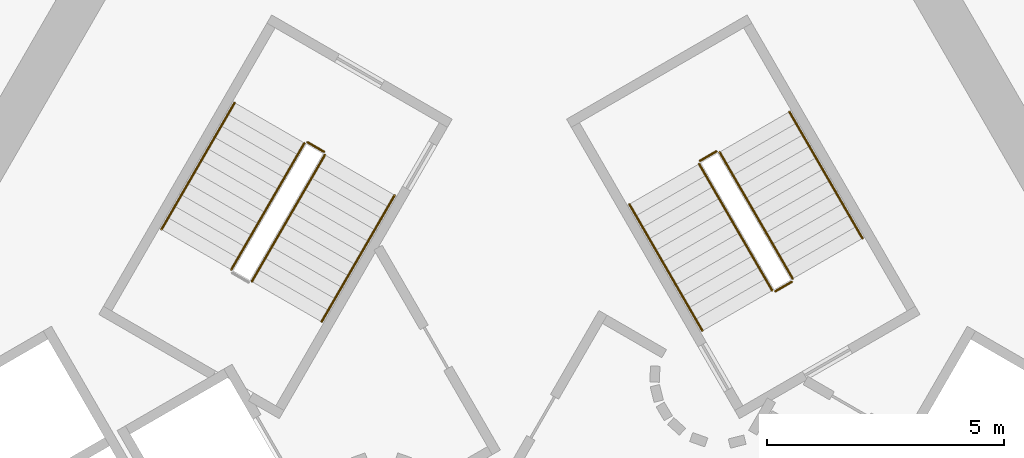
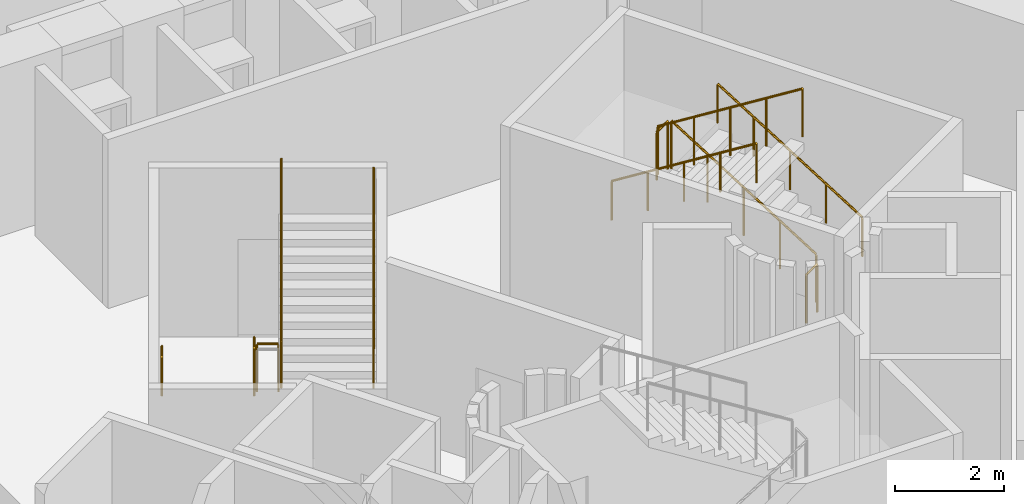
# One storey, part 14 of 14: 11 railings.
"""IFC4 building model written with IfcOpenShell, lengths in metres."""

from ifc_helpers import new_model, si_unit, direction, frame, origin, origin_2d, place, context, subcontext, project, spatial, circle, extrude, material, type_object, element, save


model = new_model("IFC4")

# Units and contexts
model_context = context("Model", 3, precision=1e-05, world=origin(), true_north=direction((0.0, 1.0)))
body_context = subcontext(model_context, "Body", "Model", "MODEL_VIEW")
ifc_project = project(units=[si_unit("LENGTHUNIT", "METRE"), si_unit("AREAUNIT", "SQUARE_METRE"), si_unit("VOLUMEUNIT", "CUBIC_METRE"), si_unit("PLANEANGLEUNIT", "RADIAN"), si_unit("MASSUNIT", "GRAM", prefix="KILO")], contexts=[model_context])

# Site, building, storey
site_placement = place(None, origin())
site = spatial("IfcSite", under=ifc_project, at=site_placement, CompositionType="ELEMENT")
building_placement = place(site_placement, origin())
building = spatial("IfcBuilding", under=site, at=building_placement, Name="Entoto Arch Interchange Tower", CompositionType="ELEMENT")
storey_placement = place(building_placement, frame((0.0, 0.0, 116.0)))
storey = spatial("IfcBuildingStorey", under=building, at=storey_placement, Name="L25", CompositionType="ELEMENT", Elevation=116.0)

# Railings
ifc_material = material(Name="Stainless steel 1.4301", Category="steel")
railing_type_1 = type_object("IfcRailingType", Name="STAIR GUARD 1100 STEEL", PredefinedType="GUARDRAIL", material=ifc_material)
railing_1_placement = place(storey_placement, frame((5.977783203125, 4.046142578125, 0.175048828125)))
element("IfcRailing", 1, at=railing_1_placement, inside=storey, type_object=railing_type_1, Name="L25 ST-NE stair guard 1", PredefinedType="GUARDRAIL", context=body_context, shape_type="SweptSolid", body=[
    extrude(circle(Radius=0.02392578125, at=origin_2d()), frame((0.0, 0.0, 1.076171875), z_axis=(-0.424015404183, 0.734364028329, 0.530019255228), x_axis=(-0.866010015463, -0.500026652407, 0.0)), (0.0, 0.0, 1.0), 3.632080078125),
    extrude(circle(Radius=0.02099609375, at=origin_2d()), origin(), (0.0, 0.0, 1.0), 1.052001953125),
    extrude(circle(Radius=0.02099609375, at=origin_2d()), frame((-0.385009765625, 0.666748046875, 0.481201171875)), (0.0, 0.0, 1.0), 1.052001953125),
    extrude(circle(Radius=0.02099609375, at=origin_2d()), frame((-0.77001953125, 1.33349609375, 0.96240234375)), (0.0, 0.0, 1.0), 1.052001953125),
    extrude(circle(Radius=0.02099609375, at=origin_2d()), frame((-1.155029296875, 2.00048828125, 1.44384765625)), (0.0, 0.0, 1.0), 1.052001953125),
    extrude(circle(Radius=0.02099609375, at=origin_2d()), frame((-1.5400390625, 2.667236328125, 1.925048828125)), (0.0, 0.0, 1.0), 1.052001953125),
])
railing_2_placement = place(storey_placement, frame((4.36962890625, 6.731689453125, 2.10009765625)))
element("IfcRailing", 2, at=railing_2_placement, inside=storey, type_object=railing_type_1, Name="L25 ST-NE stair guard 2", PredefinedType="GUARDRAIL", context=body_context, shape_type="SweptSolid", body=[
    extrude(circle(Radius=0.02392578125, at=origin_2d()), frame((0.0, 0.0, 1.076171875), z_axis=(-0.866094119867, -0.499880961361, 0.0), x_axis=(0.499880961361, -0.866094119867, 0.0)), (0.0, 0.0, 1.0), 0.39990234375),
    extrude(circle(Radius=0.02099609375, at=origin_2d()), origin(), (0.0, 0.0, 1.0), 1.052001953125),
    extrude(circle(Radius=0.02099609375, at=origin_2d()), frame((-0.346435546875, -0.199951171875, 0.0)), (0.0, 0.0, 1.0), 1.052001953125),
])
railing_3_placement = place(storey_placement, frame((4.0048828125, 6.46337890625, 2.27490234375)))
element("IfcRailing", 3, at=railing_3_placement, inside=storey, type_object=railing_type_1, Name="L25 ST-NE stair guard 3", PredefinedType="GUARDRAIL", context=body_context, shape_type="SweptSolid", body=[
    extrude(circle(Radius=0.02392578125, at=origin_2d()), frame((0.0, 0.0, 1.076171875), z_axis=(0.424015404183, -0.734364028329, 0.530019255228), x_axis=(0.866010015463, 0.500026652407, 0.0)), (0.0, 0.0, 1.0), 3.632080078125),
    extrude(circle(Radius=0.02099609375, at=origin_2d()), origin(), (0.0, 0.0, 1.0), 1.052001953125),
    extrude(circle(Radius=0.02099609375, at=origin_2d()), frame((0.385009765625, -0.666748046875, 0.481201171875)), (0.0, 0.0, 1.0), 1.052001953125),
    extrude(circle(Radius=0.02099609375, at=origin_2d()), frame((0.77001953125, -1.33349609375, 0.96240234375)), (0.0, 0.0, 1.0), 1.052001953125),
    extrude(circle(Radius=0.02099609375, at=origin_2d()), frame((1.155029296875, -2.00048828125, 1.44384765625)), (0.0, 0.0, 1.0), 1.052001953125),
    extrude(circle(Radius=0.02099609375, at=origin_2d()), frame((1.5400390625, -2.667236328125, 1.925048828125)), (0.0, 0.0, 1.0), 1.052001953125),
])
railing_4_placement = place(storey_placement, frame((5.95947265625, 3.977783203125, 0.0)))
element("IfcRailing", 4, at=railing_4_placement, inside=storey, type_object=railing_type_1, Name="L25 ST-NE stair guard 4", PredefinedType="GUARDRAIL", context=body_context, shape_type="SweptSolid", body=[
    extrude(circle(Radius=0.02392578125, at=origin_2d()), frame((0.0, 0.0, 1.076171875), z_axis=(-0.866094119867, -0.499880961361, 0.0), x_axis=(0.499880961361, -0.866094119867, 0.0)), (0.0, 0.0, 1.0), 0.39990234375),
    extrude(circle(Radius=0.02099609375, at=origin_2d()), origin(), (0.0, 0.0, 1.0), 1.052001953125),
    extrude(circle(Radius=0.02099609375, at=origin_2d()), frame((-0.346435546875, -0.199951171875, 0.0)), (0.0, 0.0, 1.0), 1.052001953125),
])
railing_5_placement = place(storey_placement, frame((-4.327880859375, 6.904052734375, 0.175048828125)))
element("IfcRailing", 5, at=railing_5_placement, inside=storey, type_object=railing_type_1, Name="L25 ST-NW stair guard 1", PredefinedType="GUARDRAIL", context=body_context, shape_type="SweptSolid", body=[
    extrude(circle(Radius=0.02392578125, at=origin_2d()), frame((0.0, 0.0, 1.076171875), z_axis=(-0.423994474112, -0.734394994316, 0.52999309264), x_axis=(0.866029832698, -0.499992328818, 0.0)), (0.0, 0.0, 1.0), 3.63232421875),
    extrude(circle(Radius=0.02099609375, at=origin_2d()), origin(), (0.0, 0.0, 1.0), 1.052001953125),
    extrude(circle(Radius=0.02099609375, at=origin_2d()), frame((-0.385009765625, -0.6669921875, 0.481201171875)), (0.0, 0.0, 1.0), 1.052001953125),
    extrude(circle(Radius=0.02099609375, at=origin_2d()), frame((-0.77001953125, -1.333740234375, 0.96240234375)), (0.0, 0.0, 1.0), 1.052001953125),
    extrude(circle(Radius=0.02099609375, at=origin_2d()), frame((-1.155029296875, -2.00048828125, 1.44384765625)), (0.0, 0.0, 1.0), 1.052001953125),
    extrude(circle(Radius=0.02099609375, at=origin_2d()), frame((-1.5400390625, -2.66748046875, 1.925048828125)), (0.0, 0.0, 1.0), 1.052001953125),
])
railing_6_placement = place(storey_placement, frame((-5.434814453125, 3.986572265625, 2.27490234375)))
element("IfcRailing", 6, at=railing_6_placement, inside=storey, type_object=railing_type_1, Name="L25 ST-NW stair guard 3", PredefinedType="GUARDRAIL", context=body_context, shape_type="SweptSolid", body=[
    extrude(circle(Radius=0.02392578125, at=origin_2d()), frame((0.0, 0.0, 1.076171875), z_axis=(0.423994474112, 0.734394994316, 0.52999309264), x_axis=(-0.866029832698, 0.499992328818, 0.0)), (0.0, 0.0, 1.0), 3.63232421875),
    extrude(circle(Radius=0.02099609375, at=origin_2d()), origin(), (0.0, 0.0, 1.0), 1.052001953125),
    extrude(circle(Radius=0.02099609375, at=origin_2d()), frame((0.385009765625, 0.6669921875, 0.481201171875)), (0.0, 0.0, 1.0), 1.052001953125),
    extrude(circle(Radius=0.02099609375, at=origin_2d()), frame((0.77001953125, 1.333740234375, 0.96240234375)), (0.0, 0.0, 1.0), 1.052001953125),
    extrude(circle(Radius=0.02099609375, at=origin_2d()), frame((1.155029296875, 2.00048828125, 1.44384765625)), (0.0, 0.0, 1.0), 1.052001953125),
    extrude(circle(Radius=0.02099609375, at=origin_2d()), frame((1.5400390625, 2.66748046875, 1.925048828125)), (0.0, 0.0, 1.0), 1.052001953125),
])
railing_7_placement = place(storey_placement, frame((-4.259521484375, 6.92236328125, 0.0)))
element("IfcRailing", 7, at=railing_7_placement, inside=storey, type_object=railing_type_1, Name="L25 ST-NW stair guard 4", PredefinedType="GUARDRAIL", context=body_context, shape_type="SweptSolid", body=[
    extrude(circle(Radius=0.02392578125, at=origin_2d()), frame((0.0, 0.0, 1.076171875), z_axis=(0.865829829939, -0.500338590944, 0.0), x_axis=(0.500338590944, 0.865829829939, 0.0)), (0.0, 0.0, 1.0), 0.400146484375),
    extrude(circle(Radius=0.02099609375, at=origin_2d()), origin(), (0.0, 0.0, 1.0), 1.052001953125),
    extrude(circle(Radius=0.02099609375, at=origin_2d()), frame((0.346435546875, -0.2001953125, 0.0)), (0.0, 0.0, 1.0), 1.052001953125),
])
railing_type_2 = type_object("IfcRailingType", Name="STAIR HANDRAIL 900 STEEL", PredefinedType="HANDRAIL", material=ifc_material)
railing_8_placement = place(storey_placement, frame((7.4501953125, 4.89599609375, 0.175048828125)))
element("IfcRailing", 8, at=railing_8_placement, inside=storey, type_object=railing_type_2, Name="L25 ST-NE stair handrail 1", PredefinedType="HANDRAIL", context=body_context, shape_type="SweptSolid", body=[
    extrude(circle(Radius=0.02392578125, at=origin_2d()), frame((0.0, 0.0, 0.8759765625), z_axis=(-0.423994474112, 0.734394994316, 0.52999309264), x_axis=(-0.866029832698, -0.499992328818, 0.0)), (0.0, 0.0, 1.0), 3.63232421875),
    extrude(circle(Radius=0.02099609375, at=origin_2d()), origin(), (0.0, 0.0, 1.0), 0.851806640625),
    extrude(circle(Radius=0.02099609375, at=origin_2d()), frame((-0.385009765625, 0.6669921875, 0.481201171875)), (0.0, 0.0, 1.0), 0.851806640625),
    extrude(circle(Radius=0.02099609375, at=origin_2d()), frame((-0.77001953125, 1.333740234375, 0.96240234375)), (0.0, 0.0, 1.0), 0.851806640625),
    extrude(circle(Radius=0.02099609375, at=origin_2d()), frame((-1.155029296875, 2.00048828125, 1.44384765625)), (0.0, 0.0, 1.0), 0.851806640625),
    extrude(circle(Radius=0.02099609375, at=origin_2d()), frame((-1.5400390625, 2.66748046875, 1.925048828125)), (0.0, 0.0, 1.0), 0.851806640625),
])
railing_9_placement = place(storey_placement, frame((2.53271484375, 5.613525390625, 2.27490234375)))
element("IfcRailing", 9, at=railing_9_placement, inside=storey, type_object=railing_type_2, Name="L25 ST-NE stair handrail 2", PredefinedType="HANDRAIL", context=body_context, shape_type="SweptSolid", body=[
    extrude(circle(Radius=0.02392578125, at=origin_2d()), frame((0.0, 0.0, 0.8759765625), z_axis=(0.423939339791, -0.734415923031, 0.53000819633), x_axis=(0.866064153644, 0.499932877268, 0.0)), (0.0, 0.0, 1.0), 3.632080078125),
    extrude(circle(Radius=0.02099609375, at=origin_2d()), origin(), (0.0, 0.0, 1.0), 0.851806640625),
    extrude(circle(Radius=0.02099609375, at=origin_2d()), frame((0.385009765625, -0.6669921875, 0.481201171875)), (0.0, 0.0, 1.0), 0.851806640625),
    extrude(circle(Radius=0.02099609375, at=origin_2d()), frame((0.77001953125, -1.333740234375, 0.96240234375)), (0.0, 0.0, 1.0), 0.851806640625),
    extrude(circle(Radius=0.02099609375, at=origin_2d()), frame((1.15478515625, -2.00048828125, 1.44384765625)), (0.0, 0.0, 1.0), 0.851806640625),
    extrude(circle(Radius=0.02099609375, at=origin_2d()), frame((1.539794921875, -2.66748046875, 1.925048828125)), (0.0, 0.0, 1.0), 0.851806640625),
])
railing_10_placement = place(storey_placement, frame((-5.800048828125, 7.75390625, 0.175048828125)))
element("IfcRailing", 10, at=railing_10_placement, inside=storey, type_object=railing_type_2, Name="L25 ST-NW stair handrail 1", PredefinedType="HANDRAIL", context=body_context, shape_type="SweptSolid", body=[
    extrude(circle(Radius=0.02392578125, at=origin_2d()), frame((0.0, 0.0, 0.8759765625), z_axis=(-0.424015404183, -0.734364028329, 0.530019255228), x_axis=(0.866010015463, -0.500026652407, 0.0)), (0.0, 0.0, 1.0), 3.632080078125),
    extrude(circle(Radius=0.02099609375, at=origin_2d()), origin(), (0.0, 0.0, 1.0), 0.851806640625),
    extrude(circle(Radius=0.02099609375, at=origin_2d()), frame((-0.385009765625, -0.666748046875, 0.481201171875)), (0.0, 0.0, 1.0), 0.851806640625),
    extrude(circle(Radius=0.02099609375, at=origin_2d()), frame((-0.77001953125, -1.33349609375, 0.96240234375)), (0.0, 0.0, 1.0), 0.851806640625),
    extrude(circle(Radius=0.02099609375, at=origin_2d()), frame((-1.155029296875, -2.00048828125, 1.44384765625)), (0.0, 0.0, 1.0), 0.851806640625),
    extrude(circle(Radius=0.02099609375, at=origin_2d()), frame((-1.5400390625, -2.667236328125, 1.925048828125)), (0.0, 0.0, 1.0), 0.851806640625),
])
railing_11_placement = place(storey_placement, frame((-3.962646484375, 3.136474609375, 2.27490234375)))
element("IfcRailing", 11, at=railing_11_placement, inside=storey, type_object=railing_type_2, Name="L25 ST-NW stair handrail 2", PredefinedType="HANDRAIL", context=body_context, shape_type="SweptSolid", body=[
    extrude(circle(Radius=0.02392578125, at=origin_2d()), frame((0.0, 0.0, 0.8759765625), z_axis=(0.423994474112, 0.734394994316, 0.52999309264), x_axis=(-0.866029832698, 0.499992328818, 0.0)), (0.0, 0.0, 1.0), 3.63232421875),
    extrude(circle(Radius=0.02099609375, at=origin_2d()), origin(), (0.0, 0.0, 1.0), 0.851806640625),
    extrude(circle(Radius=0.02099609375, at=origin_2d()), frame((0.385009765625, 0.6669921875, 0.481201171875)), (0.0, 0.0, 1.0), 0.851806640625),
    extrude(circle(Radius=0.02099609375, at=origin_2d()), frame((0.77001953125, 1.333740234375, 0.96240234375)), (0.0, 0.0, 1.0), 0.851806640625),
    extrude(circle(Radius=0.02099609375, at=origin_2d()), frame((1.155029296875, 2.00048828125, 1.44384765625)), (0.0, 0.0, 1.0), 0.851806640625),
    extrude(circle(Radius=0.02099609375, at=origin_2d()), frame((1.5400390625, 2.66748046875, 1.925048828125)), (0.0, 0.0, 1.0), 0.851806640625),
])

save(model, "model.ifc")
